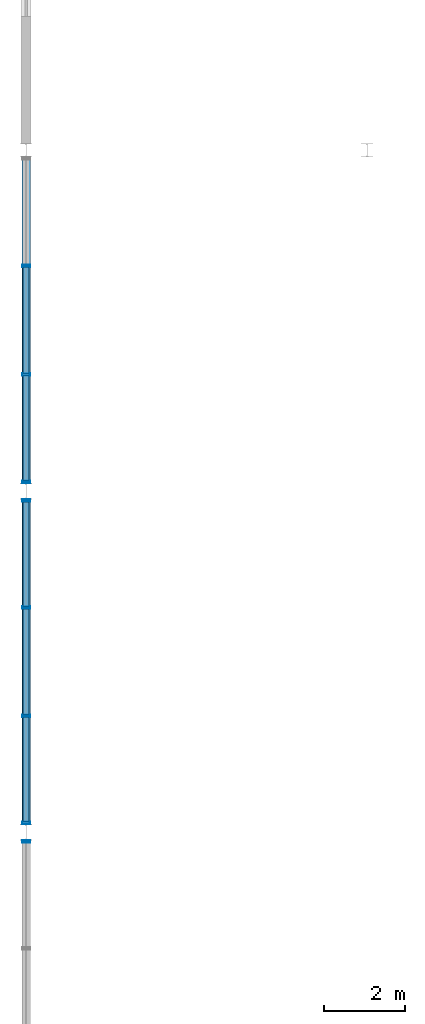
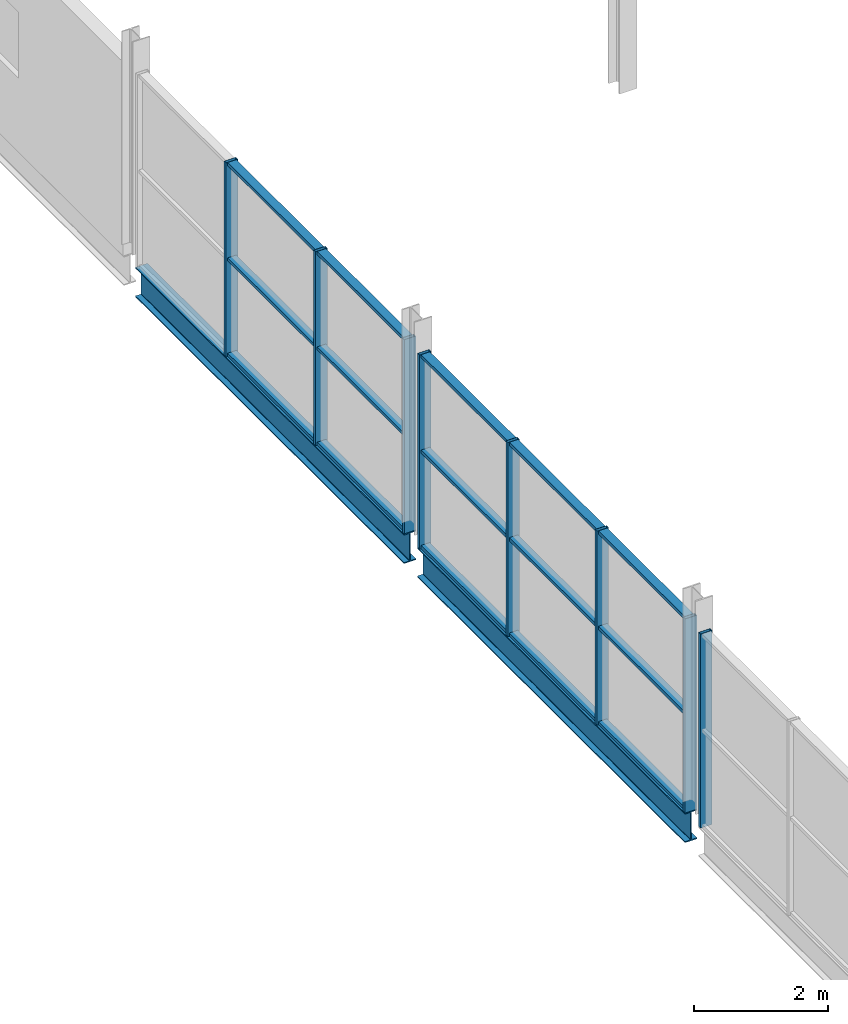
# One storey, part 12 of 43: 23 members, 2 beams, 3 elements without a shape of their own.
"""IFC4 building model written with IfcOpenShell, lengths in metres."""

import ifcopenshell
import ifcopenshell.guid

model = None  # the IFC model being written
_history = None  # IfcOwnerHistory: only IFC2X3 demands one
_inside = {}  # id of a spatial element -> (the spatial element, [elements in it])
_under = {}  # id of a project, library or spatial element -> (it, [spatial elements below it])
_declared = {}  # id of a project -> (the project, [libraries it declares])
_typed = {}  # id of a type object -> (the type object, [elements of that type])
_made_of = {}  # id of a material, layer set ... -> (it, [elements and type objects made of it])


def new_model(schema):
    """Start an empty IFC model of exactly this schema.

    Asked for "IFC4X3", IfcOpenShell would pick the latest addendum, in which some entities
    have other attributes; the version numbers below select the first issue.
    IFC2X3 requires an IfcOwnerHistory on every rooted entity: one is made here for all.
    """
    global model, _history
    if schema == "IFC4X3":
        model = ifcopenshell.file(schema_version=(4, 3, 0, 0))
    else:
        model = ifcopenshell.file(schema=schema)
    _inside.clear()
    _under.clear()
    _declared.clear()
    _typed.clear()
    _made_of.clear()
    _history = None
    if model.schema == "IFC2X3":
        org = make("IfcOrganization", Name="unknown")
        user = make(
            "IfcPersonAndOrganization",
            ThePerson=make("IfcPerson", FamilyName="unknown"),
            TheOrganization=org,
        )
        app = make(
            "IfcApplication",
            ApplicationDeveloper=org,
            Version="unknown",
            ApplicationFullName="unknown",
            ApplicationIdentifier="unknown",
        )
        _history = make(
            "IfcOwnerHistory",
            OwningUser=user,
            OwningApplication=app,
            ChangeAction="ADDED",
            CreationDate=0,
        )
    return model


def make(cls, **values):
    """One entity of the class cls with the attributes given. An attribute that is None is left unset."""
    return model.create_entity(
        cls, **{name: value for name, value in values.items() if value is not None}
    )


def rooted(cls, **values):
    """An entity with a GlobalId (a new one), such as an element, a storey or a relation."""
    return make(cls, GlobalId=ifcopenshell.guid.new(), OwnerHistory=_history, **values)


def si_unit(unit_type, name, prefix=None):
    """IfcSIUnit, for example si_unit("LENGTHUNIT", "METRE", prefix="MILLI")."""
    return make("IfcSIUnit", UnitType=unit_type, Prefix=prefix, Name=name)


def assignment(units):
    """IfcUnitAssignment: the units of a project."""
    return None if units is None else make("IfcUnitAssignment", Units=units)


def point(xyz):
    """IfcCartesianPoint."""
    return None if xyz is None else make("IfcCartesianPoint", Coordinates=xyz)


def direction(xyz):
    """IfcDirection."""
    return None if xyz is None else make("IfcDirection", DirectionRatios=xyz)


def frame(location, z_axis=None, x_axis=None):
    """IfcAxis2Placement3D, a coordinate frame: its origin and axes. An axis left out is left unset."""
    return make(
        "IfcAxis2Placement3D",
        Location=point(location),
        Axis=direction(z_axis),
        RefDirection=direction(x_axis),
    )


def frame_2d(location, x_axis=None):
    """IfcAxis2Placement2D, a coordinate frame in the plane: its origin and x axis."""
    return make(
        "IfcAxis2Placement2D", Location=point(location), RefDirection=direction(x_axis)
    )


def origin():
    """The frame at (0, 0, 0) with its axes left unset."""
    return frame((0.0, 0.0, 0.0))


def origin_2d():
    """The frame at (0, 0) in the plane with its x axis left unset."""
    return frame_2d((0.0, 0.0))


def place(relative_to, where):
    """IfcLocalPlacement: puts the frame where relative to a parent placement (None: the world)."""
    return make(
        "IfcLocalPlacement", PlacementRelTo=relative_to, RelativePlacement=where
    )


def context(
    kind, dimensions, precision=None, world=None, true_north=None, identifier=None
):
    """IfcGeometricRepresentationContext, for example the 3D "Model" context."""
    return make(
        "IfcGeometricRepresentationContext",
        ContextIdentifier=identifier,
        ContextType=kind,
        CoordinateSpaceDimension=dimensions,
        Precision=precision,
        WorldCoordinateSystem=world,
        TrueNorth=true_north,
    )


def subcontext(parent, identifier, kind, view, scale=None):
    """IfcGeometricRepresentationSubContext, for example "Body" below "Model"."""
    return make(
        "IfcGeometricRepresentationSubContext",
        ContextIdentifier=identifier,
        ContextType=kind,
        ParentContext=parent,
        TargetScale=scale,
        TargetView=view,
    )


def project(units=None, contexts=None):
    """IfcProject with its units and contexts."""
    return rooted(
        "IfcProject",
        Name="project",
        RepresentationContexts=contexts,
        UnitsInContext=assignment(units),
    )


def spatial(cls, under=None, at=None, **own):
    """A site, building, storey or space (cls), placed at a placement, below another one or the project."""
    s = rooted(cls, ObjectPlacement=at, **own)
    if under is not None:
        _under.setdefault(under.id(), (under, []))[1].append(s)
    return s


def profile(cls, at=None, kind="AREA", **sizes):
    """A parametric profile (cls). Its sizes go by their IFC names, for example OverallWidth=200.0."""
    return make(cls, ProfileType=kind, Position=at, **sizes)


def hollow_rectangle(**sizes):
    """IfcRectangleHollowProfileDef."""
    return profile("IfcRectangleHollowProfileDef", **sizes)


def i_section(**sizes):
    """IfcIShapeProfileDef."""
    return profile("IfcIShapeProfileDef", **sizes)


def extrude(swept, where, along, depth):
    """IfcExtrudedAreaSolid: the profile swept, set in the frame where, extruded along a direction by depth."""
    return make(
        "IfcExtrudedAreaSolid",
        SweptArea=swept,
        Position=where,
        ExtrudedDirection=direction(along),
        Depth=depth,
    )


def shape(context_of_items, identifier, shape_type, items):
    """IfcShapeRepresentation: the items that make up one representation, for example the "Body"."""
    return make(
        "IfcShapeRepresentation",
        ContextOfItems=context_of_items,
        RepresentationIdentifier=identifier,
        RepresentationType=shape_type,
        Items=items,
    )


def material(Name=None, Category=None):
    """IfcMaterial."""
    return make("IfcMaterial", Name=Name, Category=Category)


def material_profile(
    of_material, cross_section, Name=None, Category=None, Priority=None
):
    """IfcMaterialProfile: a cross section and its material."""
    return make(
        "IfcMaterialProfile",
        Name=Name,
        Material=of_material,
        Profile=cross_section,
        Priority=Priority,
        Category=Category,
    )


def profile_set(profiles, Name=None, composite=None):
    """IfcMaterialProfileSet."""
    return make(
        "IfcMaterialProfileSet",
        Name=Name,
        MaterialProfiles=profiles,
        CompositeProfile=composite,
    )


def made_of(thing, what):
    """Note that an element or type object is made of a material, layer set ...; save() writes the relation."""
    if what is not None:
        _made_of.setdefault(what.id(), (what, []))[1].append(thing)
    return thing


def type_object(cls, material=None, **own):
    """A type object (cls), such as IfcWallType, which elements share."""
    return made_of(rooted(cls, **own), material)


def element(
    cls,
    number,
    at=None,
    inside=None,
    cuts=None,
    type_object=None,
    material=None,
    context=None,
    identifier="Body",
    shape_type=None,
    held_by="IfcProductDefinitionShape",
    body=None,
    shapes=None,
    **own,
):
    """One element of the class cls, such as IfcWall. Its Tag is "e" and its number.

    at: its placement. inside: the storey or other place that contains it. cuts: it is an
    opening in that element (IfcRelVoidsElement). A single representation is given by context,
    identifier, shape_type and body (its items); several are given by shapes. held_by: the class
    of the entity that holds the representations. save() writes the other relations.
    """
    e = rooted(cls, Tag="e%d" % number, ObjectPlacement=at, **own)
    if body is not None:
        shapes = [shape(context, identifier, shape_type, body)]
    if shapes is not None:
        e.Representation = make(held_by, Representations=shapes)
    if inside is not None:
        _inside.setdefault(inside.id(), (inside, []))[1].append(e)
    if cuts is not None:
        rooted(
            "IfcRelVoidsElement", RelatingBuildingElement=cuts, RelatedOpeningElement=e
        )
    if type_object is not None:
        _typed.setdefault(type_object.id(), (type_object, []))[1].append(e)
    return made_of(e, material)


def aggregate(whole, parts):
    """IfcRelAggregates: a whole, such as a stair, and the parts it consists of."""
    return rooted("IfcRelAggregates", RelatingObject=whole, RelatedObjects=parts)


def save(model, path):
    """Write the relations noted so far, then the file.

    IfcRelAggregates (storeys below a building ...), IfcRelContainedInSpatialStructure (elements
    in a storey), IfcRelDefinesByType, IfcRelAssociatesMaterial and IfcRelDeclares: one each for
    every whole, place, type object, material and project.
    """
    for whole, parts in _under.values():
        aggregate(whole, parts)
    for where, things in _inside.values():
        rooted(
            "IfcRelContainedInSpatialStructure",
            RelatedElements=things,
            RelatingStructure=where,
        )
    for kind, things in _typed.values():
        rooted("IfcRelDefinesByType", RelatedObjects=things, RelatingType=kind)
    for what, things in _made_of.values():
        rooted("IfcRelAssociatesMaterial", RelatedObjects=things, RelatingMaterial=what)
    for by, libraries in _declared.values():
        rooted("IfcRelDeclares", RelatingContext=by, RelatedDefinitions=libraries)
    model.write(path)


model = new_model("IFC4")

# Units and contexts
model_context = context("Model", 3, precision=1e-05, world=origin(), true_north=direction((0.0, 1.0)))
body_context = subcontext(model_context, "Body", "Model", "MODEL_VIEW")
ifc_project = project(units=[si_unit("LENGTHUNIT", "METRE"), si_unit("AREAUNIT", "SQUARE_METRE"), si_unit("VOLUMEUNIT", "CUBIC_METRE"), si_unit("PLANEANGLEUNIT", "RADIAN"), si_unit("MASSUNIT", "GRAM", prefix="KILO"), si_unit("THERMODYNAMICTEMPERATUREUNIT", "KELVIN")], contexts=[model_context])

# Site, building, storey
site_placement = place(None, origin())
site = spatial("IfcSite", under=ifc_project, at=site_placement, CompositionType="ELEMENT")
building_placement = place(site_placement, origin())
building = spatial("IfcBuilding", under=site, at=building_placement, Name="Nduvali Passage Aquatics Centre", CompositionType="ELEMENT")
storey_placement = place(building_placement, frame((0.0, 0.0, 17.39990234375)))
storey = spatial("IfcBuildingStorey", under=building, at=storey_placement, Name="L04", CompositionType="ELEMENT", Elevation=17.39990234375)

# Curtain wall, member
ifc_material_1 = material(Name="Aluminium EN AW-6063 T6", Category="aluminium")
curtain_wall_type = type_object("IfcCurtainWallType", Name="ENV-CW-DIVE", PredefinedType="NOTDEFINED", material=ifc_material_1)
curtain_wall_1_placement = place(storey_placement, origin())
curtain_wall_1 = element("IfcCurtainWall", 1, at=curtain_wall_1_placement, inside=storey, type_object=curtain_wall_type, Name="L04 West Diving Upper Roof Clerestory CW 136", PredefinedType="NOTDEFINED")
ifc_material_profile_1 = material_profile(ifc_material_1, hollow_rectangle(XDim=0.06005859375, YDim=0.199951171875, WallThickness=0.00390625, at=origin_2d()), Name="ALU MULLION 60x200x4")
ifc_profile_set_1 = profile_set([ifc_material_profile_1], Name="Aluminium EN AW-6063 T6")
member_type_1 = type_object("IfcMemberType", Name="ENV-MEM-MUL80", PredefinedType="MULLION", material=ifc_profile_set_1)
member_1_placement = place(storey_placement, frame((0.0, 58.570068359375, -0.22998046875), z_axis=(0.0, 0.0, 1.0), x_axis=(0.0, 1.0, 0.0)))
member_1 = element("IfcMember", 2, at=member_1_placement, type_object=member_type_1, Name="West Diving Upper Roof Clerestory CW Mullion 4", PredefinedType="MULLION", context=body_context, shape_type="SweptSolid", body=[
    extrude(hollow_rectangle(XDim=0.06005859375, YDim=0.199951171875, WallThickness=0.00390625, at=origin_2d()), origin(), (0.0, 0.0, 1.0), 3.5400390625),
])
aggregate(curtain_wall_1, [member_1])

# Curtain wall, members
curtain_wall_2_placement = place(storey_placement, origin())
curtain_wall_2 = element("IfcCurtainWall", 3, at=curtain_wall_2_placement, inside=storey, type_object=curtain_wall_type, Name="L04 West Diving Upper Roof Clerestory CW 141", PredefinedType="NOTDEFINED")
member_2_placement = place(storey_placement, frame((0.0, 59.030029296875, -0.22998046875), z_axis=(0.0, 0.0, 1.0), x_axis=(0.0, 1.0, 0.0)))
member_2 = element("IfcMember", 4, at=member_2_placement, type_object=member_type_1, Name="West Diving Upper Roof Clerestory CW Mullion 1", PredefinedType="MULLION", context=body_context, shape_type="SweptSolid", body=[
    extrude(hollow_rectangle(XDim=0.06005859375, YDim=0.199951171875, WallThickness=0.00390625, at=origin_2d()), origin(), (0.0, 0.0, 1.0), 3.5400390625),
])
member_3_placement = place(storey_placement, frame((0.0, 61.666748046875, -0.22998046875), z_axis=(0.0, 0.0, 1.0), x_axis=(0.0, 1.0, 0.0)))
member_3 = element("IfcMember", 5, at=member_3_placement, type_object=member_type_1, Name="West Diving Upper Roof Clerestory CW Mullion 2", PredefinedType="MULLION", context=body_context, shape_type="SweptSolid", body=[
    extrude(hollow_rectangle(XDim=0.06005859375, YDim=0.199951171875, WallThickness=0.00390625, at=origin_2d()), origin(), (0.0, 0.0, 1.0), 3.5400390625),
])
member_4_placement = place(storey_placement, frame((0.0, 64.333251953125, -0.22998046875), z_axis=(0.0, 0.0, 1.0), x_axis=(0.0, 1.0, 0.0)))
member_4 = element("IfcMember", 6, at=member_4_placement, type_object=member_type_1, Name="West Diving Upper Roof Clerestory CW Mullion 3", PredefinedType="MULLION", context=body_context, shape_type="SweptSolid", body=[
    extrude(hollow_rectangle(XDim=0.06005859375, YDim=0.199951171875, WallThickness=0.00390625, at=origin_2d()), origin(), (0.0, 0.0, 1.0), 3.5400390625),
])
member_5_placement = place(storey_placement, frame((0.0, 66.969970703125, -0.22998046875), z_axis=(0.0, 0.0, 1.0), x_axis=(0.0, 1.0, 0.0)))
member_5 = element("IfcMember", 7, at=member_5_placement, type_object=member_type_1, Name="West Diving Upper Roof Clerestory CW Mullion 4", PredefinedType="MULLION", context=body_context, shape_type="SweptSolid", body=[
    extrude(hollow_rectangle(XDim=0.06005859375, YDim=0.199951171875, WallThickness=0.00390625, at=origin_2d()), origin(), (0.0, 0.0, 1.0), 3.5400390625),
])

curtain_wall_3_placement = place(storey_placement, origin())
curtain_wall_3 = element("IfcCurtainWall", 8, at=curtain_wall_3_placement, inside=storey, type_object=curtain_wall_type, Name="L04 West Diving Upper Roof Clerestory CW 146", PredefinedType="NOTDEFINED")
member_6_placement = place(storey_placement, frame((0.0, 67.429931640625, -0.22998046875), z_axis=(0.0, 0.0, 1.0), x_axis=(0.0, 1.0, 0.0)))
member_6 = element("IfcMember", 9, at=member_6_placement, type_object=member_type_1, Name="West Diving Upper Roof Clerestory CW Mullion 1", PredefinedType="MULLION", context=body_context, shape_type="SweptSolid", body=[
    extrude(hollow_rectangle(XDim=0.06005859375, YDim=0.199951171875, WallThickness=0.00390625, at=origin_2d()), origin(), (0.0, 0.0, 1.0), 3.5400390625),
])
member_7_placement = place(storey_placement, frame((0.0, 70.07666015625, -0.22998046875), z_axis=(0.0, 0.0, 1.0), x_axis=(0.0, 1.0, 0.0)))
member_7 = element("IfcMember", 10, at=member_7_placement, type_object=member_type_1, Name="West Diving Upper Roof Clerestory CW Mullion 2", PredefinedType="MULLION", context=body_context, shape_type="SweptSolid", body=[
    extrude(hollow_rectangle(XDim=0.06005859375, YDim=0.199951171875, WallThickness=0.00390625, at=origin_2d()), origin(), (0.0, 0.0, 1.0), 3.5400390625),
])
member_8_placement = place(storey_placement, frame((0.0, 72.75341796875, -0.22998046875), z_axis=(0.0, 0.0, 1.0), x_axis=(0.0, 1.0, 0.0)))
member_8 = element("IfcMember", 11, at=member_8_placement, type_object=member_type_1, Name="West Diving Upper Roof Clerestory CW Mullion 3", PredefinedType="MULLION", context=body_context, shape_type="SweptSolid", body=[
    extrude(hollow_rectangle(XDim=0.06005859375, YDim=0.199951171875, WallThickness=0.00390625, at=origin_2d()), origin(), (0.0, 0.0, 1.0), 3.5400390625),
])

# Member
ifc_material_profile_2 = material_profile(ifc_material_1, hollow_rectangle(XDim=0.14990234375, YDim=0.06005859375, WallThickness=0.00390625, at=origin_2d()), Name="ALU TRANSOM 150x60x4")
ifc_profile_set_2 = profile_set([ifc_material_profile_2], Name="Aluminium EN AW-6063 T6")
member_type_2 = type_object("IfcMemberType", Name="ENV-MEM-TRN80", PredefinedType="USERDEFINED", material=ifc_profile_set_2)
member_9_placement = place(storey_placement, frame((0.0, 59.06005859375, -0.199951171875), z_axis=(0.0, 1.0, 0.0), x_axis=(-1.0, 0.0, 0.0)))
member_9 = element("IfcMember", 12, at=member_9_placement, type_object=member_type_2, Name="West Diving Upper Roof Clerestory CW Transom B1-R0", ObjectType="TRANSOM", PredefinedType="USERDEFINED", context=body_context, shape_type="SweptSolid", body=[
    extrude(hollow_rectangle(XDim=0.14990234375, YDim=0.06005859375, WallThickness=0.00390625, at=origin_2d()), origin(), (0.0, 0.0, 1.0), 2.57666015625),
])

member_10_placement = place(storey_placement, frame((0.0, 59.06005859375, 1.5400390625), z_axis=(0.0, 1.0, 0.0), x_axis=(-1.0, 0.0, 0.0)))
member_10 = element("IfcMember", 13, at=member_10_placement, type_object=member_type_2, Name="West Diving Upper Roof Clerestory CW Transom B1-R1", ObjectType="TRANSOM", PredefinedType="USERDEFINED", context=body_context, shape_type="SweptSolid", body=[
    extrude(hollow_rectangle(XDim=0.14990234375, YDim=0.06005859375, WallThickness=0.00390625, at=origin_2d()), origin(), (0.0, 0.0, 1.0), 2.57666015625),
])

member_11_placement = place(storey_placement, frame((0.0, 59.06005859375, 3.280029296875), z_axis=(0.0, 1.0, 0.0), x_axis=(-1.0, 0.0, 0.0)))
member_11 = element("IfcMember", 14, at=member_11_placement, type_object=member_type_2, Name="West Diving Upper Roof Clerestory CW Transom B1-R2", ObjectType="TRANSOM", PredefinedType="USERDEFINED", context=body_context, shape_type="SweptSolid", body=[
    extrude(hollow_rectangle(XDim=0.14990234375, YDim=0.06005859375, WallThickness=0.00390625, at=origin_2d()), origin(), (0.0, 0.0, 1.0), 2.57666015625),
])

member_12_placement = place(storey_placement, frame((0.0, 61.69677734375, -0.199951171875), z_axis=(0.0, 1.0, 0.0), x_axis=(-1.0, 0.0, 0.0)))
member_12 = element("IfcMember", 15, at=member_12_placement, type_object=member_type_2, Name="West Diving Upper Roof Clerestory CW Transom B2-R0", ObjectType="TRANSOM", PredefinedType="USERDEFINED", context=body_context, shape_type="SweptSolid", body=[
    extrude(hollow_rectangle(XDim=0.14990234375, YDim=0.06005859375, WallThickness=0.00390625, at=origin_2d()), origin(), (0.0, 0.0, 1.0), 2.6064453125),
])

member_13_placement = place(storey_placement, frame((0.0, 61.69677734375, 1.5400390625), z_axis=(0.0, 1.0, 0.0), x_axis=(-1.0, 0.0, 0.0)))
member_13 = element("IfcMember", 16, at=member_13_placement, type_object=member_type_2, Name="West Diving Upper Roof Clerestory CW Transom B2-R1", ObjectType="TRANSOM", PredefinedType="USERDEFINED", context=body_context, shape_type="SweptSolid", body=[
    extrude(hollow_rectangle(XDim=0.14990234375, YDim=0.06005859375, WallThickness=0.00390625, at=origin_2d()), origin(), (0.0, 0.0, 1.0), 2.6064453125),
])

member_14_placement = place(storey_placement, frame((0.0, 61.69677734375, 3.280029296875), z_axis=(0.0, 1.0, 0.0), x_axis=(-1.0, 0.0, 0.0)))
member_14 = element("IfcMember", 17, at=member_14_placement, type_object=member_type_2, Name="West Diving Upper Roof Clerestory CW Transom B2-R2", ObjectType="TRANSOM", PredefinedType="USERDEFINED", context=body_context, shape_type="SweptSolid", body=[
    extrude(hollow_rectangle(XDim=0.14990234375, YDim=0.06005859375, WallThickness=0.00390625, at=origin_2d()), origin(), (0.0, 0.0, 1.0), 2.6064453125),
])

member_15_placement = place(storey_placement, frame((0.0, 64.36328125, -0.199951171875), z_axis=(0.0, 1.0, 0.0), x_axis=(-1.0, 0.0, 0.0)))
member_15 = element("IfcMember", 18, at=member_15_placement, type_object=member_type_2, Name="West Diving Upper Roof Clerestory CW Transom B3-R0", ObjectType="TRANSOM", PredefinedType="USERDEFINED", context=body_context, shape_type="SweptSolid", body=[
    extrude(hollow_rectangle(XDim=0.14990234375, YDim=0.06005859375, WallThickness=0.00390625, at=origin_2d()), origin(), (0.0, 0.0, 1.0), 2.57666015625),
])

member_16_placement = place(storey_placement, frame((0.0, 64.36328125, 1.5400390625), z_axis=(0.0, 1.0, 0.0), x_axis=(-1.0, 0.0, 0.0)))
member_16 = element("IfcMember", 19, at=member_16_placement, type_object=member_type_2, Name="West Diving Upper Roof Clerestory CW Transom B3-R1", ObjectType="TRANSOM", PredefinedType="USERDEFINED", context=body_context, shape_type="SweptSolid", body=[
    extrude(hollow_rectangle(XDim=0.14990234375, YDim=0.06005859375, WallThickness=0.00390625, at=origin_2d()), origin(), (0.0, 0.0, 1.0), 2.57666015625),
])

member_17_placement = place(storey_placement, frame((0.0, 64.36328125, 3.280029296875), z_axis=(0.0, 1.0, 0.0), x_axis=(-1.0, 0.0, 0.0)))
member_17 = element("IfcMember", 20, at=member_17_placement, type_object=member_type_2, Name="West Diving Upper Roof Clerestory CW Transom B3-R2", ObjectType="TRANSOM", PredefinedType="USERDEFINED", context=body_context, shape_type="SweptSolid", body=[
    extrude(hollow_rectangle(XDim=0.14990234375, YDim=0.06005859375, WallThickness=0.00390625, at=origin_2d()), origin(), (0.0, 0.0, 1.0), 2.57666015625),
])

aggregate(curtain_wall_2, [member_2, member_3, member_4, member_5, member_9, member_10, member_11, member_12, member_13, member_14, member_15, member_16, member_17])

member_18_placement = place(storey_placement, frame((0.0, 67.4599609375, -0.199951171875), z_axis=(0.0, 1.0, 0.0), x_axis=(-1.0, 0.0, 0.0)))
member_18 = element("IfcMember", 21, at=member_18_placement, type_object=member_type_2, Name="West Diving Upper Roof Clerestory CW Transom B1-R0", ObjectType="TRANSOM", PredefinedType="USERDEFINED", context=body_context, shape_type="SweptSolid", body=[
    extrude(hollow_rectangle(XDim=0.14990234375, YDim=0.06005859375, WallThickness=0.00390625, at=origin_2d()), origin(), (0.0, 0.0, 1.0), 2.586669921875),
])

member_19_placement = place(storey_placement, frame((0.0, 67.4599609375, 1.5400390625), z_axis=(0.0, 1.0, 0.0), x_axis=(-1.0, 0.0, 0.0)))
member_19 = element("IfcMember", 22, at=member_19_placement, type_object=member_type_2, Name="West Diving Upper Roof Clerestory CW Transom B1-R1", ObjectType="TRANSOM", PredefinedType="USERDEFINED", context=body_context, shape_type="SweptSolid", body=[
    extrude(hollow_rectangle(XDim=0.14990234375, YDim=0.06005859375, WallThickness=0.00390625, at=origin_2d()), origin(), (0.0, 0.0, 1.0), 2.586669921875),
])

member_20_placement = place(storey_placement, frame((0.0, 67.4599609375, 3.280029296875), z_axis=(0.0, 1.0, 0.0), x_axis=(-1.0, 0.0, 0.0)))
member_20 = element("IfcMember", 23, at=member_20_placement, type_object=member_type_2, Name="West Diving Upper Roof Clerestory CW Transom B1-R2", ObjectType="TRANSOM", PredefinedType="USERDEFINED", context=body_context, shape_type="SweptSolid", body=[
    extrude(hollow_rectangle(XDim=0.14990234375, YDim=0.06005859375, WallThickness=0.00390625, at=origin_2d()), origin(), (0.0, 0.0, 1.0), 2.586669921875),
])

member_21_placement = place(storey_placement, frame((0.0, 70.106689453125, -0.199951171875), z_axis=(0.0, 1.0, 0.0), x_axis=(-1.0, 0.0, 0.0)))
member_21 = element("IfcMember", 24, at=member_21_placement, type_object=member_type_2, Name="West Diving Upper Roof Clerestory CW Transom B2-R0", ObjectType="TRANSOM", PredefinedType="USERDEFINED", context=body_context, shape_type="SweptSolid", body=[
    extrude(hollow_rectangle(XDim=0.14990234375, YDim=0.06005859375, WallThickness=0.00390625, at=origin_2d()), origin(), (0.0, 0.0, 1.0), 2.61669921875),
])

member_22_placement = place(storey_placement, frame((0.0, 70.106689453125, 1.5400390625), z_axis=(0.0, 1.0, 0.0), x_axis=(-1.0, 0.0, 0.0)))
member_22 = element("IfcMember", 25, at=member_22_placement, type_object=member_type_2, Name="West Diving Upper Roof Clerestory CW Transom B2-R1", ObjectType="TRANSOM", PredefinedType="USERDEFINED", context=body_context, shape_type="SweptSolid", body=[
    extrude(hollow_rectangle(XDim=0.14990234375, YDim=0.06005859375, WallThickness=0.00390625, at=origin_2d()), origin(), (0.0, 0.0, 1.0), 2.61669921875),
])

member_23_placement = place(storey_placement, frame((0.0, 70.106689453125, 3.280029296875), z_axis=(0.0, 1.0, 0.0), x_axis=(-1.0, 0.0, 0.0)))
member_23 = element("IfcMember", 26, at=member_23_placement, type_object=member_type_2, Name="West Diving Upper Roof Clerestory CW Transom B2-R2", ObjectType="TRANSOM", PredefinedType="USERDEFINED", context=body_context, shape_type="SweptSolid", body=[
    extrude(hollow_rectangle(XDim=0.14990234375, YDim=0.06005859375, WallThickness=0.00390625, at=origin_2d()), origin(), (0.0, 0.0, 1.0), 2.61669921875),
])

aggregate(curtain_wall_3, [member_6, member_7, member_8, member_18, member_19, member_20, member_21, member_22, member_23])

# Beams
ifc_material_2 = material(Name="Steel S355", Category="steel")
ifc_material_profile_3 = material_profile(ifc_material_2, i_section(OverallWidth=0.210693359375, OverallDepth=0.53955078125, WebThickness=0.01171875, FlangeThickness=0.018798828125, FilletRadius=0.0126953125, at=origin_2d()), Name="UKB 533x210x109")
ifc_profile_set_3 = profile_set([ifc_material_profile_3], Name="Steel S355")
beam_type = type_object("IfcBeamType", Name="STR-BM-UKB533-EXT", PredefinedType="BEAM", material=ifc_profile_set_3)
beam_1_placement = place(storey_placement, frame((0.0, 59.0, -0.503662109375), z_axis=(0.0, 1.0, 0.0), x_axis=(-1.0, 0.0, 0.0)))
element("IfcBeam", 27, at=beam_1_placement, inside=storey, type_object=beam_type, Name="L04 Primary Y-Girder B6E-1356", PredefinedType="BEAM", context=body_context, shape_type="SweptSolid", body=[
    extrude(i_section(OverallWidth=0.210693359375, OverallDepth=0.53955078125, WebThickness=0.01171875, FlangeThickness=0.018798828125, FilletRadius=0.0126953125, at=origin_2d()), origin(), (0.0, 0.0, 1.0), 8.0),
])
beam_2_placement = place(storey_placement, frame((0.0, 67.39990234375, -0.503662109375), z_axis=(0.0, 1.0, 0.0), x_axis=(-1.0, 0.0, 0.0)))
element("IfcBeam", 28, at=beam_2_placement, inside=storey, type_object=beam_type, Name="L04 Primary Y-Girder B6E-1357", PredefinedType="BEAM", context=body_context, shape_type="SweptSolid", body=[
    extrude(i_section(OverallWidth=0.210693359375, OverallDepth=0.53955078125, WebThickness=0.01171875, FlangeThickness=0.018798828125, FilletRadius=0.0126953125, at=origin_2d()), origin(), (0.0, 0.0, 1.0), 8.030029296875),
])

save(model, "model.ifc")
